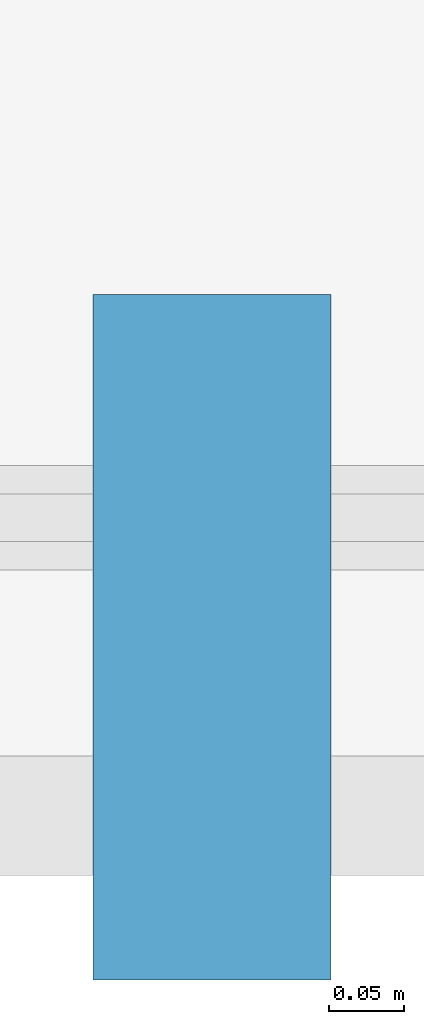
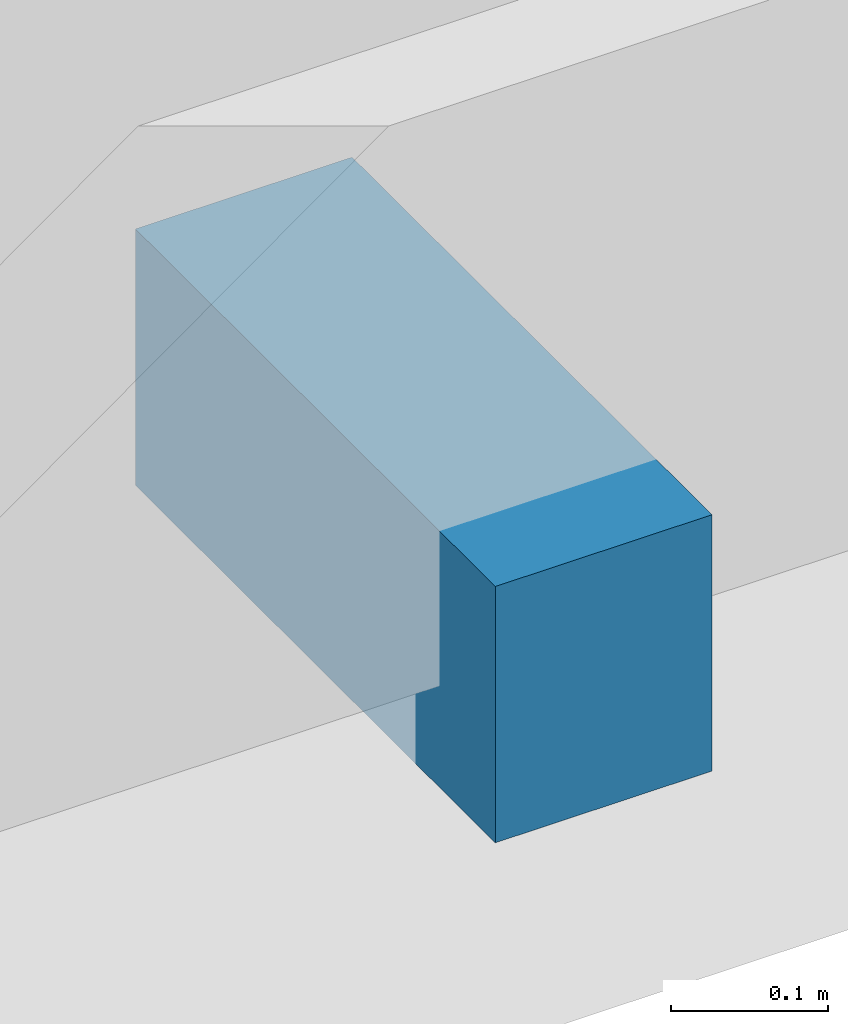
# One storey, part 20 of 32: 1 discrete accessory.
"""IFC4 building model written with IfcOpenShell, lengths in metres."""

import ifcopenshell
import ifcopenshell.guid

model = None  # the IFC model being written
_history = None  # IfcOwnerHistory: only IFC2X3 demands one
_inside = {}  # id of a spatial element -> (the spatial element, [elements in it])
_under = {}  # id of a project, library or spatial element -> (it, [spatial elements below it])
_declared = {}  # id of a project -> (the project, [libraries it declares])
_typed = {}  # id of a type object -> (the type object, [elements of that type])
_made_of = {}  # id of a material, layer set ... -> (it, [elements and type objects made of it])


def new_model(schema):
    """Start an empty IFC model of exactly this schema.

    Asked for "IFC4X3", IfcOpenShell would pick the latest addendum, in which some entities
    have other attributes; the version numbers below select the first issue.
    IFC2X3 requires an IfcOwnerHistory on every rooted entity: one is made here for all.
    """
    global model, _history
    if schema == "IFC4X3":
        model = ifcopenshell.file(schema_version=(4, 3, 0, 0))
    else:
        model = ifcopenshell.file(schema=schema)
    _inside.clear()
    _under.clear()
    _declared.clear()
    _typed.clear()
    _made_of.clear()
    _history = None
    if model.schema == "IFC2X3":
        org = make("IfcOrganization", Name="unknown")
        user = make(
            "IfcPersonAndOrganization",
            ThePerson=make("IfcPerson", FamilyName="unknown"),
            TheOrganization=org,
        )
        app = make(
            "IfcApplication",
            ApplicationDeveloper=org,
            Version="unknown",
            ApplicationFullName="unknown",
            ApplicationIdentifier="unknown",
        )
        _history = make(
            "IfcOwnerHistory",
            OwningUser=user,
            OwningApplication=app,
            ChangeAction="ADDED",
            CreationDate=0,
        )
    return model


def make(cls, **values):
    """One entity of the class cls with the attributes given. An attribute that is None is left unset."""
    return model.create_entity(
        cls, **{name: value for name, value in values.items() if value is not None}
    )


def rooted(cls, **values):
    """An entity with a GlobalId (a new one), such as an element, a storey or a relation."""
    return make(cls, GlobalId=ifcopenshell.guid.new(), OwnerHistory=_history, **values)


def si_unit(unit_type, name, prefix=None):
    """IfcSIUnit, for example si_unit("LENGTHUNIT", "METRE", prefix="MILLI")."""
    return make("IfcSIUnit", UnitType=unit_type, Prefix=prefix, Name=name)


def assignment(units):
    """IfcUnitAssignment: the units of a project."""
    return None if units is None else make("IfcUnitAssignment", Units=units)


def point(xyz):
    """IfcCartesianPoint."""
    return None if xyz is None else make("IfcCartesianPoint", Coordinates=xyz)


def direction(xyz):
    """IfcDirection."""
    return None if xyz is None else make("IfcDirection", DirectionRatios=xyz)


def frame(location, z_axis=None, x_axis=None):
    """IfcAxis2Placement3D, a coordinate frame: its origin and axes. An axis left out is left unset."""
    return make(
        "IfcAxis2Placement3D",
        Location=point(location),
        Axis=direction(z_axis),
        RefDirection=direction(x_axis),
    )


def frame_2d(location, x_axis=None):
    """IfcAxis2Placement2D, a coordinate frame in the plane: its origin and x axis."""
    return make(
        "IfcAxis2Placement2D", Location=point(location), RefDirection=direction(x_axis)
    )


def origin():
    """The frame at (0, 0, 0) with its axes left unset."""
    return frame((0.0, 0.0, 0.0))


def origin_2d():
    """The frame at (0, 0) in the plane with its x axis left unset."""
    return frame_2d((0.0, 0.0))


def place(relative_to, where):
    """IfcLocalPlacement: puts the frame where relative to a parent placement (None: the world)."""
    return make(
        "IfcLocalPlacement", PlacementRelTo=relative_to, RelativePlacement=where
    )


def context(
    kind, dimensions, precision=None, world=None, true_north=None, identifier=None
):
    """IfcGeometricRepresentationContext, for example the 3D "Model" context."""
    return make(
        "IfcGeometricRepresentationContext",
        ContextIdentifier=identifier,
        ContextType=kind,
        CoordinateSpaceDimension=dimensions,
        Precision=precision,
        WorldCoordinateSystem=world,
        TrueNorth=true_north,
    )


def subcontext(parent, identifier, kind, view, scale=None):
    """IfcGeometricRepresentationSubContext, for example "Body" below "Model"."""
    return make(
        "IfcGeometricRepresentationSubContext",
        ContextIdentifier=identifier,
        ContextType=kind,
        ParentContext=parent,
        TargetScale=scale,
        TargetView=view,
    )


def project(units=None, contexts=None):
    """IfcProject with its units and contexts."""
    return rooted(
        "IfcProject",
        Name="project",
        RepresentationContexts=contexts,
        UnitsInContext=assignment(units),
    )


def spatial(cls, under=None, at=None, **own):
    """A site, building, storey or space (cls), placed at a placement, below another one or the project."""
    s = rooted(cls, ObjectPlacement=at, **own)
    if under is not None:
        _under.setdefault(under.id(), (under, []))[1].append(s)
    return s


def profile(cls, at=None, kind="AREA", **sizes):
    """A parametric profile (cls). Its sizes go by their IFC names, for example OverallWidth=200.0."""
    return make(cls, ProfileType=kind, Position=at, **sizes)


def rectangle(**sizes):
    """IfcRectangleProfileDef."""
    return profile("IfcRectangleProfileDef", **sizes)


def extrude(swept, where, along, depth):
    """IfcExtrudedAreaSolid: the profile swept, set in the frame where, extruded along a direction by depth."""
    return make(
        "IfcExtrudedAreaSolid",
        SweptArea=swept,
        Position=where,
        ExtrudedDirection=direction(along),
        Depth=depth,
    )


def shape(context_of_items, identifier, shape_type, items):
    """IfcShapeRepresentation: the items that make up one representation, for example the "Body"."""
    return make(
        "IfcShapeRepresentation",
        ContextOfItems=context_of_items,
        RepresentationIdentifier=identifier,
        RepresentationType=shape_type,
        Items=items,
    )


def material(Name=None, Category=None):
    """IfcMaterial."""
    return make("IfcMaterial", Name=Name, Category=Category)


def made_of(thing, what):
    """Note that an element or type object is made of a material, layer set ...; save() writes the relation."""
    if what is not None:
        _made_of.setdefault(what.id(), (what, []))[1].append(thing)
    return thing


def type_object(cls, material=None, **own):
    """A type object (cls), such as IfcWallType, which elements share."""
    return made_of(rooted(cls, **own), material)


def element(
    cls,
    number,
    at=None,
    inside=None,
    cuts=None,
    type_object=None,
    material=None,
    context=None,
    identifier="Body",
    shape_type=None,
    held_by="IfcProductDefinitionShape",
    body=None,
    shapes=None,
    **own,
):
    """One element of the class cls, such as IfcWall. Its Tag is "e" and its number.

    at: its placement. inside: the storey or other place that contains it. cuts: it is an
    opening in that element (IfcRelVoidsElement). A single representation is given by context,
    identifier, shape_type and body (its items); several are given by shapes. held_by: the class
    of the entity that holds the representations. save() writes the other relations.
    """
    e = rooted(cls, Tag="e%d" % number, ObjectPlacement=at, **own)
    if body is not None:
        shapes = [shape(context, identifier, shape_type, body)]
    if shapes is not None:
        e.Representation = make(held_by, Representations=shapes)
    if inside is not None:
        _inside.setdefault(inside.id(), (inside, []))[1].append(e)
    if cuts is not None:
        rooted(
            "IfcRelVoidsElement", RelatingBuildingElement=cuts, RelatedOpeningElement=e
        )
    if type_object is not None:
        _typed.setdefault(type_object.id(), (type_object, []))[1].append(e)
    return made_of(e, material)


def aggregate(whole, parts):
    """IfcRelAggregates: a whole, such as a stair, and the parts it consists of."""
    return rooted("IfcRelAggregates", RelatingObject=whole, RelatedObjects=parts)


def save(model, path):
    """Write the relations noted so far, then the file.

    IfcRelAggregates (storeys below a building ...), IfcRelContainedInSpatialStructure (elements
    in a storey), IfcRelDefinesByType, IfcRelAssociatesMaterial and IfcRelDeclares: one each for
    every whole, place, type object, material and project.
    """
    for whole, parts in _under.values():
        aggregate(whole, parts)
    for where, things in _inside.values():
        rooted(
            "IfcRelContainedInSpatialStructure",
            RelatedElements=things,
            RelatingStructure=where,
        )
    for kind, things in _typed.values():
        rooted("IfcRelDefinesByType", RelatedObjects=things, RelatingType=kind)
    for what, things in _made_of.values():
        rooted("IfcRelAssociatesMaterial", RelatedObjects=things, RelatingMaterial=what)
    for by, libraries in _declared.values():
        rooted("IfcRelDeclares", RelatingContext=by, RelatedDefinitions=libraries)
    model.write(path)


model = new_model("IFC4")

# Units and contexts
model_context = context("Model", 3, precision=1e-05, world=origin(), true_north=direction((0.0, 1.0)))
body_context = subcontext(model_context, "Body", "Model", "MODEL_VIEW")
ifc_project = project(units=[si_unit("LENGTHUNIT", "METRE"), si_unit("AREAUNIT", "SQUARE_METRE"), si_unit("VOLUMEUNIT", "CUBIC_METRE"), si_unit("PLANEANGLEUNIT", "RADIAN"), si_unit("MASSUNIT", "GRAM", prefix="KILO")], contexts=[model_context])

# Site, building, storey
site_placement = place(None, origin())
site = spatial("IfcSite", under=ifc_project, at=site_placement, CompositionType="ELEMENT")
building_placement = place(site_placement, origin())
building = spatial("IfcBuilding", under=site, at=building_placement, Name="Narakoshi Arena Tower", CompositionType="ELEMENT")
storey_placement = place(building_placement, frame((0.0, 0.0, 4.5)))
storey = spatial("IfcBuildingStorey", under=building, at=storey_placement, Name="L01", CompositionType="ELEMENT", Elevation=4.5)

# Discrete accessory
ifc_material = material(Name="Structural steel S355J2", Category="steel")
discrete_accessory_type = type_object("IfcDiscreteAccessoryType", Name="ACC-BRK-SCR", PredefinedType="BRACKET", material=ifc_material)
discrete_accessory_placement = place(storey_placement, frame((65.60009765625, 0.1298828125, -0.080078125), z_axis=(0.0, 0.0, 1.0), x_axis=(1.0, 0.0, 0.0)))
element("IfcDiscreteAccessory", 1, at=discrete_accessory_placement, inside=storey, type_object=discrete_accessory_type, Name="L01 Solar Screen Support Bracket SHD-L01-SUN-CS2", PredefinedType="BRACKET", context=body_context, shape_type="SweptSolid", body=[
    extrude(rectangle(XDim=0.159912109375, YDim=0.4599609375, at=origin_2d()), origin(), (0.0, 0.0, 1.0), 0.199951171875),
])

save(model, "model.ifc")
